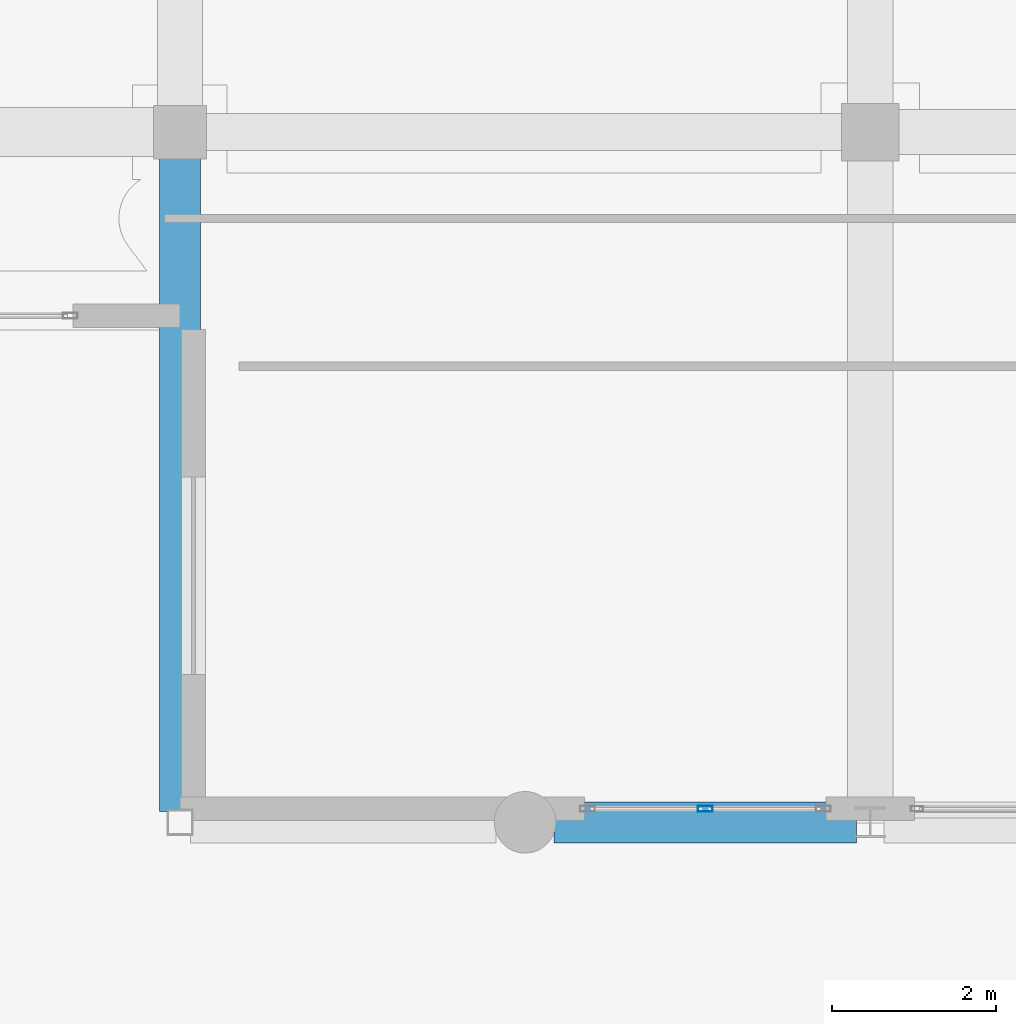
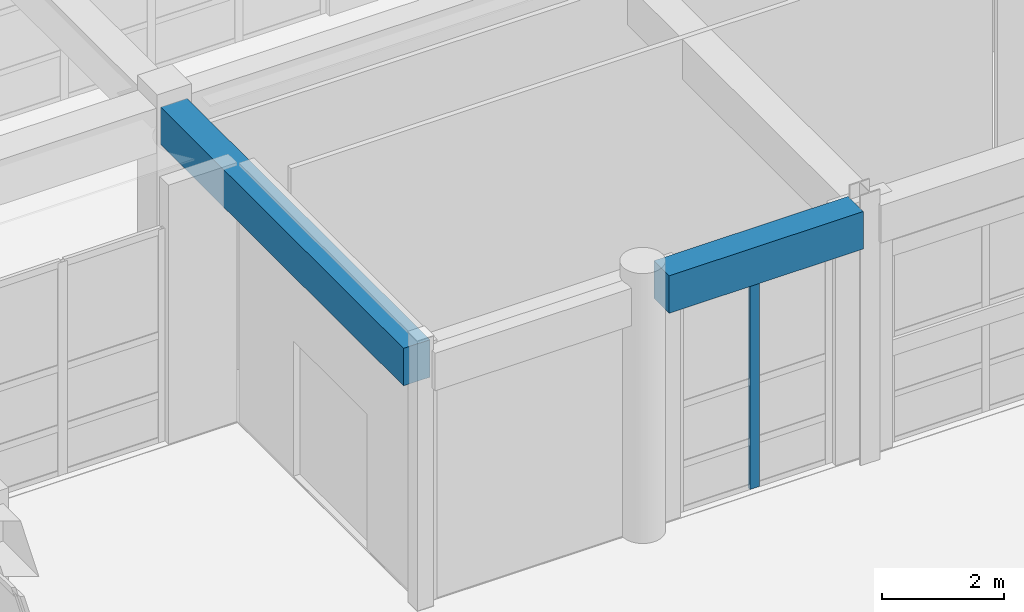
# One storey, part 40 of 148: 2 beams, 1 member, 1 element without a shape of its own.
"""IFC4 building model written with IfcOpenShell, lengths in metres."""

from ifc_helpers import new_model, si_unit, direction, frame, origin, origin_2d, place, context, subcontext, project, spatial, rectangle, hollow_rectangle, extrude, material, layer, layer_set, material_profile, profile_set, type_object, element, aggregate, save


model = new_model("IFC4")

# Units and contexts
model_context = context("Model", 3, precision=1e-05, world=origin(), true_north=direction((0.0, 1.0)))
body_context = subcontext(model_context, "Body", "Model", "MODEL_VIEW")
ifc_project = project(units=[si_unit("LENGTHUNIT", "METRE"), si_unit("AREAUNIT", "SQUARE_METRE"), si_unit("VOLUMEUNIT", "CUBIC_METRE"), si_unit("PLANEANGLEUNIT", "RADIAN"), si_unit("MASSUNIT", "GRAM", prefix="KILO")], contexts=[model_context])

# Site, building, storey
site_placement = place(None, origin())
site = spatial("IfcSite", under=ifc_project, at=site_placement, CompositionType="ELEMENT")
building_placement = place(site_placement, origin())
building = spatial("IfcBuilding", under=site, at=building_placement, Name="Quendrovan Civic Courthouse", CompositionType="ELEMENT")
storey_placement = place(building_placement, origin())
storey = spatial("IfcBuildingStorey", under=building, at=storey_placement, Name="L01", CompositionType="ELEMENT", Elevation=0.0)

# Beams
ifc_material_1 = material(Name="Concrete C40/50", Category="concrete")
ifc_material_profile_1 = material_profile(ifc_material_1, rectangle(XDim=0.5, YDim=0.75, at=origin_2d()), Name="RC-BM-500x750")
ifc_profile_set_1 = profile_set([ifc_material_profile_1], Name="Concrete C40/50")
beam_type = type_object("IfcBeamType", Name="BM-RC750", PredefinedType="SPANDREL", material=ifc_profile_set_1)
beam_1_placement = place(storey_placement, frame((29.7548828125, 64.800048828125, 4.7451171875), z_axis=(1.0, 0.0, 0.0), x_axis=(0.0, 1.0, 0.0)))
element("IfcBeam", 1, at=beam_1_placement, inside=storey, type_object=beam_type, Name="L01 Girder X0288", PredefinedType="SPANDREL", context=body_context, shape_type="SweptSolid", body=[
    extrude(rectangle(XDim=0.5, YDim=0.75, at=origin_2d()), origin(), (0.0, 0.0, 1.0), 3.67822265625),
])
beam_2_placement = place(storey_placement, frame((25.199951171875, 64.929931640625, 4.7451171875), z_axis=(0.0, 1.0, 0.0), x_axis=(-1.0, 0.0, 0.0)))
element("IfcBeam", 2, at=beam_2_placement, inside=storey, type_object=beam_type, Name="L01 Girder Y0401", PredefinedType="SPANDREL", context=body_context, shape_type="SweptSolid", body=[
    extrude(rectangle(XDim=0.5, YDim=0.75, at=origin_2d()), origin(), (0.0, 0.0, 1.0), 7.965087890625),
])

# Curtain wall, member
ifc_material_2 = material(Name="Bronze anodised aluminium and low-E glass", Category="aluminium")
ifc_layer = layer(ifc_material_2, 0.179931640625, Name="Bronze anodised aluminium and low-E glass")
ifc_layer_set = layer_set([ifc_layer], Name="Bronze anodised aluminium and low-E glass")
curtain_wall_type = type_object("IfcCurtainWallType", Name="CW-U29x42", PredefinedType="USERDEFINED", material=ifc_layer_set)
curtain_wall_placement = place(storey_placement, origin())
curtain_wall = element("IfcCurtainWall", 3, at=curtain_wall_placement, inside=storey, type_object=curtain_wall_type, Name="L01 Unitised Hurricane Curtain Wall CW-066", ObjectType="UNITISED CURTAIN WALL", PredefinedType="USERDEFINED")
ifc_material_3 = material(Name="Bronze anodised aluminium", Category="aluminium")
ifc_material_profile_2 = material_profile(ifc_material_3, hollow_rectangle(XDim=0.070068359375, YDim=0.179931640625, WallThickness=0.00390625, at=origin_2d()), Name="CW-MULL-70x180")
ifc_profile_set_2 = profile_set([ifc_material_profile_2], Name="Bronze anodised aluminium")
member_type = type_object("IfcMemberType", Name="CW-MULL-A", PredefinedType="MULLION", material=ifc_profile_set_2)
member_placement = place(storey_placement, frame((31.593994140625, 64.965087890625, 0.0), z_axis=(0.0, 0.0, 1.0), x_axis=(0.0, -1.0, 0.0)))
member = element("IfcMember", 4, at=member_placement, type_object=member_type, Name="CW-066 mullion 2", PredefinedType="MULLION", context=body_context, shape_type="SweptSolid", body=[
    extrude(hollow_rectangle(XDim=0.070068359375, YDim=0.179931640625, WallThickness=0.00390625, at=origin_2d()), origin(), (0.0, 0.0, 1.0), 4.199951171875),
])
aggregate(curtain_wall, [member])

save(model, "model.ifc")
